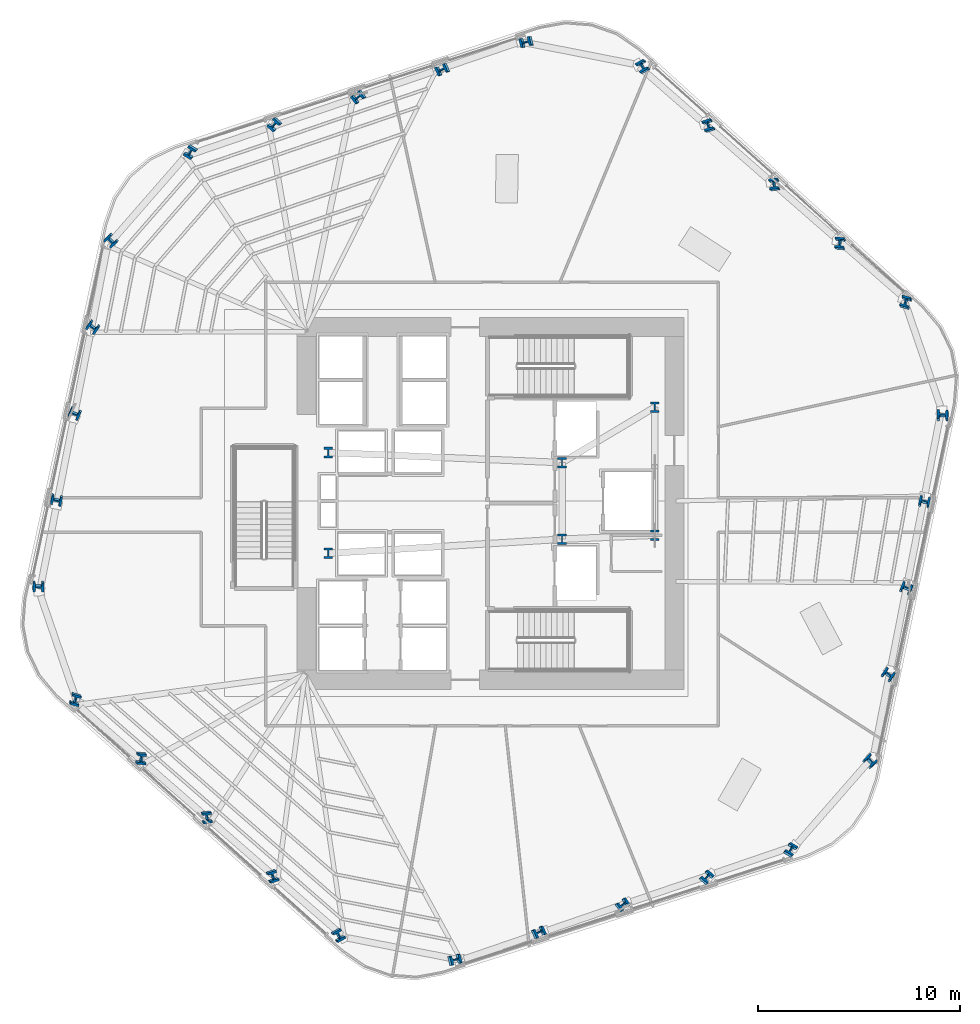
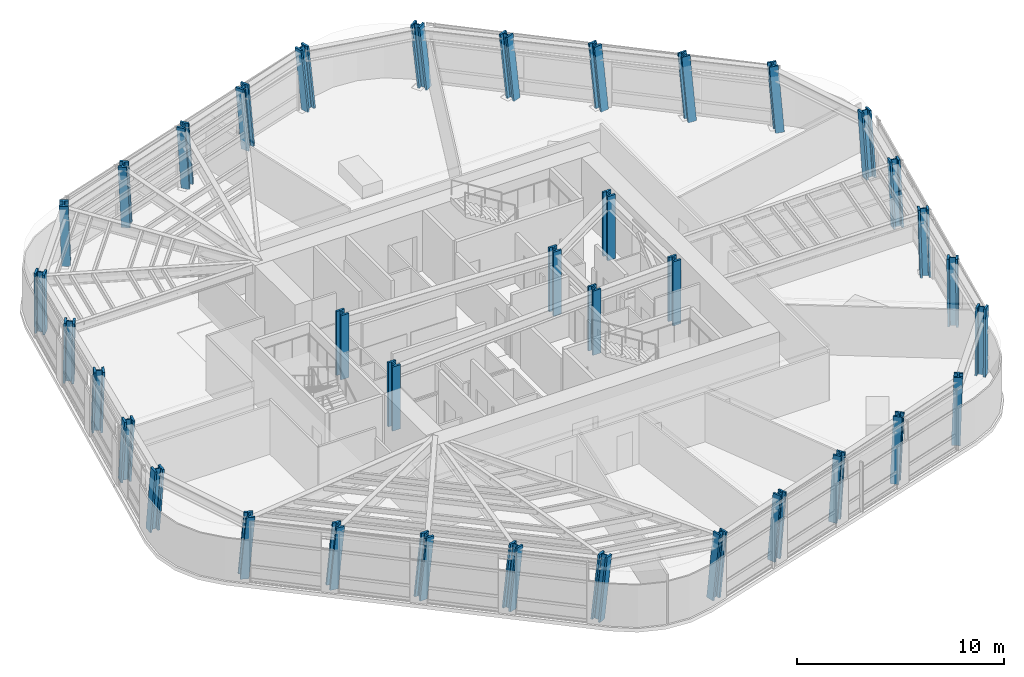
# One storey, part 1 of 16: 36 columns.
"""IFC4 building model written with IfcOpenShell, lengths in metres."""

from ifc_helpers import new_model, si_unit, direction, frame, origin, origin_2d, place, context, subcontext, project, spatial, i_section, extrude, material, material_profile, profile_set, type_object, element, save


model = new_model("IFC4")

# Units and contexts
model_context = context("Model", 3, precision=1e-05, world=origin(), true_north=direction((0.0, 1.0)))
body_context = subcontext(model_context, "Body", "Model", "MODEL_VIEW")
ifc_project = project(units=[si_unit("LENGTHUNIT", "METRE"), si_unit("AREAUNIT", "SQUARE_METRE"), si_unit("VOLUMEUNIT", "CUBIC_METRE"), si_unit("PLANEANGLEUNIT", "RADIAN"), si_unit("MASSUNIT", "GRAM", prefix="KILO")], contexts=[model_context])

# Site, building, storey
site_placement = place(None, origin())
site = spatial("IfcSite", under=ifc_project, at=site_placement, CompositionType="ELEMENT")
building_placement = place(site_placement, origin())
building = spatial("IfcBuilding", under=site, at=building_placement, Name="Valkerne Bourse Tower", CompositionType="ELEMENT")
storey_placement = place(building_placement, frame((0.0, 0.0, 101.0)))
storey = spatial("IfcBuildingStorey", under=building, at=storey_placement, Name="L25", CompositionType="ELEMENT", Elevation=101.0)

# Columns
ifc_material = material(Name="Steel ASTM A913 Grade 65", Category="steel")
ifc_material_profile = material_profile(ifc_material, i_section(OverallWidth=0.44189453125, OverallDepth=0.531005859375, WebThickness=0.06591796875, FlangeThickness=0.105712890625, FilletRadius=0.030517578125, at=origin_2d()), Name="W14X605")
ifc_profile_set = profile_set([ifc_material_profile], Name="Steel ASTM A913 Grade 65")
column_type = type_object("IfcColumnType", Name="COL-W14X605", PredefinedType="COLUMN", material=ifc_profile_set)
for number, where, z_axis, x_axis, name in (
    (1, (38.75, 24.39990234375, 0.0048828125), (0.0, 0.0, 1.0), (1.0, 0.0, 0.0), "L25 Core Frame Column CC-SW"),
    (2, (38.75, 29.39990234375, 0.0048828125), (0.0, 0.0, 1.0), (1.0, 0.0, 0.0), "L25 Core Frame Column CC-NW"),
    (3, (50.35009765625, 25.10009765625, 0.0048828125), (0.0, 0.0, 1.0), (1.0, 0.0, 0.0), "L25 Core Frame Column CC-CE1"),
    (4, (50.35009765625, 28.89990234375, 0.0048828125), (0.0, 0.0, 1.0), (1.0, 0.0, 0.0), "L25 Core Frame Column CC-CE2"),
    (5, (54.949951171875, 25.300048828125, 0.0048828125), (0.0, 0.0, 1.0), (1.0, 0.0, 0.0), "L25 Core Frame Column CC-SE"),
    (6, (54.949951171875, 31.64990234375, 0.0048828125), (0.0, 0.0, 1.0), (1.0, 0.0, 0.0), "L25 Core Frame Column CC-NE"),
):
    element("IfcColumn", number, at=place(storey_placement, frame(where, z_axis=z_axis, x_axis=x_axis)), inside=storey, type_object=column_type, Name=name, PredefinedType="COLUMN", context=body_context, shape_type="SweptSolid", body=[
        extrude(i_section(OverallWidth=0.44189453125, OverallDepth=0.531005859375, WebThickness=0.06591796875, FlangeThickness=0.105712890625, FilletRadius=0.030517578125, at=origin_2d()), origin(), (0.0, 0.0, 1.0), 3.795166015625),
    ])
column_1_placement = place(storey_placement, frame((67.4248046875, 36.8056640625, 0.010009765625), z_axis=(-0.041204552461, 0.084980371846, 0.995530271392), x_axis=(0.959316439814, -0.2751697633, 0.06319469652)))
element("IfcColumn", 7, at=column_1_placement, inside=storey, type_object=column_type, Name="L25 Helical Perimeter Tube Column F1-C1", PredefinedType="COLUMN", context=body_context, shape_type="SweptSolid", body=[
    extrude(i_section(OverallWidth=0.44189453125, OverallDepth=0.531005859375, WebThickness=0.06591796875, FlangeThickness=0.105712890625, FilletRadius=0.030517578125, at=origin_2d()), origin(), (0.0, 0.0, 1.0), 3.798095703125),
])
column_2_placement = place(storey_placement, frame((64.16748046875, 39.73828125, 0.010009765625), z_axis=(-0.053251244635, 0.071516164293, 0.996016939208), x_axis=(0.994086953474, -0.090727694727, 0.059662503649)))
element("IfcColumn", 8, at=column_2_placement, inside=storey, type_object=column_type, Name="L25 Helical Perimeter Tube Column F1-C2", PredefinedType="COLUMN", context=body_context, shape_type="SweptSolid", body=[
    extrude(i_section(OverallWidth=0.44189453125, OverallDepth=0.531005859375, WebThickness=0.06591796875, FlangeThickness=0.105712890625, FilletRadius=0.030517578125, at=origin_2d()), origin(), (0.0, 0.0, 1.0), 3.796142578125),
])
column_3_placement = place(storey_placement, frame((60.910400390625, 42.671142578125, 0.010009765625), z_axis=(-0.065288853575, 0.057891594303, 0.996185689973), x_axis=(0.991786822272, 0.113797219639, 0.058387429904)))
element("IfcColumn", 9, at=column_3_placement, inside=storey, type_object=column_type, Name="L25 Helical Perimeter Tube Column F1-C3", PredefinedType="COLUMN", context=body_context, shape_type="SweptSolid", body=[
    extrude(i_section(OverallWidth=0.44189453125, OverallDepth=0.531005859375, WebThickness=0.06591796875, FlangeThickness=0.105712890625, FilletRadius=0.030517578125, at=origin_2d()), origin(), (0.0, 0.0, 1.0), 3.79541015625),
])
column_4_placement = place(storey_placement, frame((57.6533203125, 45.60400390625, 0.010009765625), z_axis=(-0.077368687836, 0.044311742243, 0.996017347059), x_axis=(0.947666481062, 0.313638310949, 0.059659455057)))
element("IfcColumn", 10, at=column_4_placement, inside=storey, type_object=column_type, Name="L25 Helical Perimeter Tube Column F1-C4", PredefinedType="COLUMN", context=body_context, shape_type="SweptSolid", body=[
    extrude(i_section(OverallWidth=0.44189453125, OverallDepth=0.531005859375, WebThickness=0.06591796875, FlangeThickness=0.105712890625, FilletRadius=0.030517578125, at=origin_2d()), origin(), (0.0, 0.0, 1.0), 3.796142578125),
])
for number, where, z_axis, x_axis, name in (
    (11, (54.39599609375, 48.536865234375, 0.010009765625), (-0.089287384144, 0.030726687992, 0.995531834588), (0.871708040813, 0.485935093871, 0.063183669776), "L25 Helical Perimeter Tube Column F1-C5"),
    (12, (48.62060546875, 49.764404296875, 0.010009765625), (-0.094236577059, 0.006813831629, 0.995526513581), (-0.23824593047, 0.970765897483, -0.029196727526), "L25 Helical Perimeter Tube Column F2-C1"),
):
    element("IfcColumn", number, at=place(storey_placement, frame(where, z_axis=z_axis, x_axis=x_axis)), inside=storey, type_object=column_type, Name=name, PredefinedType="COLUMN", context=body_context, shape_type="SweptSolid", body=[
        extrude(i_section(OverallWidth=0.44189453125, OverallDepth=0.531005859375, WebThickness=0.06591796875, FlangeThickness=0.105712890625, FilletRadius=0.030517578125, at=origin_2d()), origin(), (0.0, 0.0, 1.0), 3.798095703125),
    ])
column_5_placement = place(storey_placement, frame((44.451904296875, 48.409912109375, 0.010009765625), z_axis=(-0.088495340122, -0.010354469302, 0.996022770695), x_axis=(-0.416227636834, 0.908843485781, -0.027533119847)))
element("IfcColumn", 13, at=column_5_placement, inside=storey, type_object=column_type, Name="L25 Helical Perimeter Tube Column F2-C2", PredefinedType="COLUMN", context=body_context, shape_type="SweptSolid", body=[
    extrude(i_section(OverallWidth=0.44189453125, OverallDepth=0.531005859375, WebThickness=0.06591796875, FlangeThickness=0.105712890625, FilletRadius=0.030517578125, at=origin_2d()), origin(), (0.0, 0.0, 1.0), 3.796142578125),
])
column_6_placement = place(storey_placement, frame((40.283447265625, 47.0556640625, 0.010009765625), z_axis=(-0.082784801054, -0.027659257539, 0.996183538404), x_axis=(-0.593353501995, 0.804489983302, -0.026971993559)))
element("IfcColumn", 14, at=column_6_placement, inside=storey, type_object=column_type, Name="L25 Helical Perimeter Tube Column F2-C3", PredefinedType="COLUMN", context=body_context, shape_type="SweptSolid", body=[
    extrude(i_section(OverallWidth=0.44189453125, OverallDepth=0.531005859375, WebThickness=0.06591796875, FlangeThickness=0.105712890625, FilletRadius=0.030517578125, at=origin_2d()), origin(), (0.0, 0.0, 1.0), 3.79541015625),
])
column_7_placement = place(storey_placement, frame((36.114990234375, 45.701171875, 0.010009765625), z_axis=(-0.077047268333, -0.044826332244, 0.996019235949), x_axis=(-0.744307718779, 0.66726851768, -0.027545327712)))
element("IfcColumn", 15, at=column_7_placement, inside=storey, type_object=column_type, Name="L25 Helical Perimeter Tube Column F2-C4", PredefinedType="COLUMN", context=body_context, shape_type="SweptSolid", body=[
    extrude(i_section(OverallWidth=0.44189453125, OverallDepth=0.531005859375, WebThickness=0.06591796875, FlangeThickness=0.105712890625, FilletRadius=0.030517578125, at=origin_2d()), origin(), (0.0, 0.0, 1.0), 3.796142578125),
])
for number, where, z_axis, x_axis, name in (
    (16, (31.946533203125, 44.3466796875, 0.010009765625), (-0.071288285335, -0.06196745452, 0.995529012613), (-0.856114252636, 0.515961638761, -0.029188589553), "L25 Helical Perimeter Tube Column F2-C5"),
    (17, (27.99560546875, 39.958740234375, 0.010009765625), (-0.052968200743, -0.078166665174, 0.995532190422), (-0.718375534679, -0.689497159457, -0.092359397332), "L25 Helical Perimeter Tube Column F3-C1"),
):
    element("IfcColumn", number, at=place(storey_placement, frame(where, z_axis=z_axis, x_axis=x_axis)), inside=storey, type_object=column_type, Name=name, PredefinedType="COLUMN", context=body_context, shape_type="SweptSolid", body=[
        extrude(i_section(OverallWidth=0.44189453125, OverallDepth=0.531005859375, WebThickness=0.06591796875, FlangeThickness=0.105712890625, FilletRadius=0.030517578125, at=origin_2d()), origin(), (0.0, 0.0, 1.0), 3.798095703125),
    ])
column_8_placement = place(storey_placement, frame((27.08447265625, 35.671630859375, 0.010009765625), z_axis=(-0.035243671756, -0.081870792236, 0.996019606725), x_axis=(-0.576188138295, -0.812653508252, -0.087186609143)))
element("IfcColumn", 18, at=column_8_placement, inside=storey, type_object=column_type, Name="L25 Helical Perimeter Tube Column F3-C2", PredefinedType="COLUMN", context=body_context, shape_type="SweptSolid", body=[
    extrude(i_section(OverallWidth=0.44189453125, OverallDepth=0.531005859375, WebThickness=0.06591796875, FlangeThickness=0.105712890625, FilletRadius=0.030517578125, at=origin_2d()), origin(), (0.0, 0.0, 1.0), 3.796142578125),
])
column_9_placement = place(storey_placement, frame((26.173095703125, 31.384521484375, 0.010009765625), z_axis=(-0.017496030035, -0.085550440978, 0.996180210093), x_axis=(-0.39893259183, -0.912993650375, -0.085413005745)))
element("IfcColumn", 19, at=column_9_placement, inside=storey, type_object=column_type, Name="L25 Helical Perimeter Tube Column F3-C3", PredefinedType="COLUMN", context=body_context, shape_type="SweptSolid", body=[
    extrude(i_section(OverallWidth=0.44189453125, OverallDepth=0.531005859375, WebThickness=0.06591796875, FlangeThickness=0.105712890625, FilletRadius=0.030517578125, at=origin_2d()), origin(), (0.0, 0.0, 1.0), 3.79541015625),
])
column_10_placement = place(storey_placement, frame((25.26171875, 27.09716796875, 0.010009765625), z_axis=(0.000321566223, -0.089138157047, 0.99601921947), x_axis=(-0.204395736677, -0.974997507656, -0.087190841798)))
element("IfcColumn", 20, at=column_10_placement, inside=storey, type_object=column_type, Name="L25 Helical Perimeter Tube Column F3-C4", PredefinedType="COLUMN", context=body_context, shape_type="SweptSolid", body=[
    extrude(i_section(OverallWidth=0.44189453125, OverallDepth=0.531005859375, WebThickness=0.06591796875, FlangeThickness=0.105712890625, FilletRadius=0.030517578125, at=origin_2d()), origin(), (0.0, 0.0, 1.0), 3.796142578125),
])
for number, where, z_axis, x_axis, name in (
    (21, (24.3505859375, 22.809814453125, 0.010009765625), (0.018063159099, -0.092694218582, 0.995530765032), (-0.017818506756, -0.995564928662, -0.092374096128), "L25 Helical Perimeter Tube Column F3-C5"),
    (22, (26.17529296875, 17.1943359375, 0.010009765625), (0.041204552461, -0.084980371846, 0.995530271392), (0.959316439814, -0.2751697633, -0.06319469652), "L25 Helical Perimeter Tube Column F4-C1"),
):
    element("IfcColumn", number, at=place(storey_placement, frame(where, z_axis=z_axis, x_axis=x_axis)), inside=storey, type_object=column_type, Name=name, PredefinedType="COLUMN", context=body_context, shape_type="SweptSolid", body=[
        extrude(i_section(OverallWidth=0.44189453125, OverallDepth=0.531005859375, WebThickness=0.06591796875, FlangeThickness=0.105712890625, FilletRadius=0.030517578125, at=origin_2d()), origin(), (0.0, 0.0, 1.0), 3.798095703125),
    ])
column_11_placement = place(storey_placement, frame((29.432373046875, 14.26171875, 0.010009765625), z_axis=(0.053251244635, -0.071516164293, 0.996016939208), x_axis=(0.994086953474, -0.090727694727, -0.059662503649)))
element("IfcColumn", 23, at=column_11_placement, inside=storey, type_object=column_type, Name="L25 Helical Perimeter Tube Column F4-C2", PredefinedType="COLUMN", context=body_context, shape_type="SweptSolid", body=[
    extrude(i_section(OverallWidth=0.44189453125, OverallDepth=0.531005859375, WebThickness=0.06591796875, FlangeThickness=0.105712890625, FilletRadius=0.030517578125, at=origin_2d()), origin(), (0.0, 0.0, 1.0), 3.796142578125),
])
column_12_placement = place(storey_placement, frame((32.689697265625, 11.328857421875, 0.010009765625), z_axis=(0.065288853575, -0.057891594303, 0.996185689973), x_axis=(0.991786822272, 0.113797219639, -0.058387429904)))
element("IfcColumn", 24, at=column_12_placement, inside=storey, type_object=column_type, Name="L25 Helical Perimeter Tube Column F4-C3", PredefinedType="COLUMN", context=body_context, shape_type="SweptSolid", body=[
    extrude(i_section(OverallWidth=0.44189453125, OverallDepth=0.531005859375, WebThickness=0.06591796875, FlangeThickness=0.105712890625, FilletRadius=0.030517578125, at=origin_2d()), origin(), (0.0, 0.0, 1.0), 3.79541015625),
])
column_13_placement = place(storey_placement, frame((35.94677734375, 8.39599609375, 0.010009765625), z_axis=(0.077304759208, -0.044311962641, 0.996022301041), x_axis=(0.94778180379, 0.31329669695, -0.059622412601)))
element("IfcColumn", 25, at=column_13_placement, inside=storey, type_object=column_type, Name="L25 Helical Perimeter Tube Column F4-C4", PredefinedType="COLUMN", context=body_context, shape_type="SweptSolid", body=[
    extrude(i_section(OverallWidth=0.44189453125, OverallDepth=0.531005859375, WebThickness=0.06591796875, FlangeThickness=0.105712890625, FilletRadius=0.030517578125, at=origin_2d()), origin(), (0.0, 0.0, 1.0), 3.796142578125),
])
for number, where, z_axis, x_axis, name in (
    (26, (39.2041015625, 5.463134765625, 0.010009765625), (0.089287384144, -0.030726687992, 0.995531834588), (0.871708040813, 0.485935093871, -0.063183669776), "L25 Helical Perimeter Tube Column F4-C5"),
    (27, (44.9794921875, 4.235595703125, 0.010009765625), (0.094236577059, -0.006813831629, 0.995526513581), (-0.23824593047, 0.970765897483, 0.029196727526), "L25 Helical Perimeter Tube Column F5-C1"),
):
    element("IfcColumn", number, at=place(storey_placement, frame(where, z_axis=z_axis, x_axis=x_axis)), inside=storey, type_object=column_type, Name=name, PredefinedType="COLUMN", context=body_context, shape_type="SweptSolid", body=[
        extrude(i_section(OverallWidth=0.44189453125, OverallDepth=0.531005859375, WebThickness=0.06591796875, FlangeThickness=0.105712890625, FilletRadius=0.030517578125, at=origin_2d()), origin(), (0.0, 0.0, 1.0), 3.798095703125),
    ])
column_14_placement = place(storey_placement, frame((49.14794921875, 5.590087890625, 0.010009765625), z_axis=(0.088495340122, 0.010354469302, 0.996022770695), x_axis=(-0.416227636834, 0.908843485781, 0.027533119847)))
element("IfcColumn", 28, at=column_14_placement, inside=storey, type_object=column_type, Name="L25 Helical Perimeter Tube Column F5-C2", PredefinedType="COLUMN", context=body_context, shape_type="SweptSolid", body=[
    extrude(i_section(OverallWidth=0.44189453125, OverallDepth=0.531005859375, WebThickness=0.06591796875, FlangeThickness=0.105712890625, FilletRadius=0.030517578125, at=origin_2d()), origin(), (0.0, 0.0, 1.0), 3.796142578125),
])
column_15_placement = place(storey_placement, frame((53.31640625, 6.9443359375, 0.010009765625), z_axis=(0.082784801054, 0.027659257539, 0.996183538404), x_axis=(-0.593353501995, 0.804489983302, 0.026971993559)))
element("IfcColumn", 29, at=column_15_placement, inside=storey, type_object=column_type, Name="L25 Helical Perimeter Tube Column F5-C3", PredefinedType="COLUMN", context=body_context, shape_type="SweptSolid", body=[
    extrude(i_section(OverallWidth=0.44189453125, OverallDepth=0.531005859375, WebThickness=0.06591796875, FlangeThickness=0.105712890625, FilletRadius=0.030517578125, at=origin_2d()), origin(), (0.0, 0.0, 1.0), 3.79541015625),
])
column_16_placement = place(storey_placement, frame((57.48486328125, 8.298828125, 0.010009765625), z_axis=(0.077047268333, 0.044826332244, 0.996019235949), x_axis=(-0.744307718779, 0.66726851768, 0.027545327712)))
element("IfcColumn", 30, at=column_16_placement, inside=storey, type_object=column_type, Name="L25 Helical Perimeter Tube Column F5-C4", PredefinedType="COLUMN", context=body_context, shape_type="SweptSolid", body=[
    extrude(i_section(OverallWidth=0.44189453125, OverallDepth=0.531005859375, WebThickness=0.06591796875, FlangeThickness=0.105712890625, FilletRadius=0.030517578125, at=origin_2d()), origin(), (0.0, 0.0, 1.0), 3.796142578125),
])
for number, where, z_axis, x_axis, name in (
    (31, (61.6533203125, 9.6533203125, 0.010009765625), (0.071288285335, 0.06196745452, 0.995529012613), (-0.856114252636, 0.515961638761, 0.029188589553), "L25 Helical Perimeter Tube Column F5-C5"),
    (32, (65.604248046875, 14.041259765625, 0.010009765625), (0.053032301862, 0.078166398865, 0.995528798703), (-0.718761997027, -0.689089596609, 0.092394369279), "L25 Helical Perimeter Tube Column F6-C1"),
):
    element("IfcColumn", number, at=place(storey_placement, frame(where, z_axis=z_axis, x_axis=x_axis)), inside=storey, type_object=column_type, Name=name, PredefinedType="COLUMN", context=body_context, shape_type="SweptSolid", body=[
        extrude(i_section(OverallWidth=0.44189453125, OverallDepth=0.531005859375, WebThickness=0.06591796875, FlangeThickness=0.105712890625, FilletRadius=0.030517578125, at=origin_2d()), origin(), (0.0, 0.0, 1.0), 3.798095703125),
    ])
column_17_placement = place(storey_placement, frame((66.515625, 18.328369140625, 0.010009765625), z_axis=(0.035243671756, 0.081870792236, 0.996019606725), x_axis=(-0.576188138295, -0.812653508252, 0.087186609143)))
element("IfcColumn", 33, at=column_17_placement, inside=storey, type_object=column_type, Name="L25 Helical Perimeter Tube Column F6-C2", PredefinedType="COLUMN", context=body_context, shape_type="SweptSolid", body=[
    extrude(i_section(OverallWidth=0.44189453125, OverallDepth=0.531005859375, WebThickness=0.06591796875, FlangeThickness=0.105712890625, FilletRadius=0.030517578125, at=origin_2d()), origin(), (0.0, 0.0, 1.0), 3.796142578125),
])
column_18_placement = place(storey_placement, frame((67.427001953125, 22.615478515625, 0.010009765625), z_axis=(0.017431725976, 0.08555053708, 0.996181329144), x_axis=(-0.398273706489, -0.913282435145, 0.085400517415)))
element("IfcColumn", 34, at=column_18_placement, inside=storey, type_object=column_type, Name="L25 Helical Perimeter Tube Column F6-C3", PredefinedType="COLUMN", context=body_context, shape_type="SweptSolid", body=[
    extrude(i_section(OverallWidth=0.44189453125, OverallDepth=0.531005859375, WebThickness=0.06591796875, FlangeThickness=0.105712890625, FilletRadius=0.030517578125, at=origin_2d()), origin(), (0.0, 0.0, 1.0), 3.79541015625),
])
column_19_placement = place(storey_placement, frame((68.338134765625, 26.90283203125, 0.010009765625), z_axis=(-0.000321566223, 0.089138157047, 0.99601921947), x_axis=(-0.204395736677, -0.974997507656, 0.087190841798)))
element("IfcColumn", 35, at=column_19_placement, inside=storey, type_object=column_type, Name="L25 Helical Perimeter Tube Column F6-C4", PredefinedType="COLUMN", context=body_context, shape_type="SweptSolid", body=[
    extrude(i_section(OverallWidth=0.44189453125, OverallDepth=0.531005859375, WebThickness=0.06591796875, FlangeThickness=0.105712890625, FilletRadius=0.030517578125, at=origin_2d()), origin(), (0.0, 0.0, 1.0), 3.796142578125),
])
column_20_placement = place(storey_placement, frame((69.24951171875, 31.190185546875, 0.010009765625), z_axis=(-0.018063159099, 0.092694218582, 0.995530765032), x_axis=(-0.017818506756, -0.995564928662, 0.092374096128)))
element("IfcColumn", 36, at=column_20_placement, inside=storey, type_object=column_type, Name="L25 Helical Perimeter Tube Column F6-C5", PredefinedType="COLUMN", context=body_context, shape_type="SweptSolid", body=[
    extrude(i_section(OverallWidth=0.44189453125, OverallDepth=0.531005859375, WebThickness=0.06591796875, FlangeThickness=0.105712890625, FilletRadius=0.030517578125, at=origin_2d()), origin(), (0.0, 0.0, 1.0), 3.798095703125),
])

save(model, "model.ifc")
